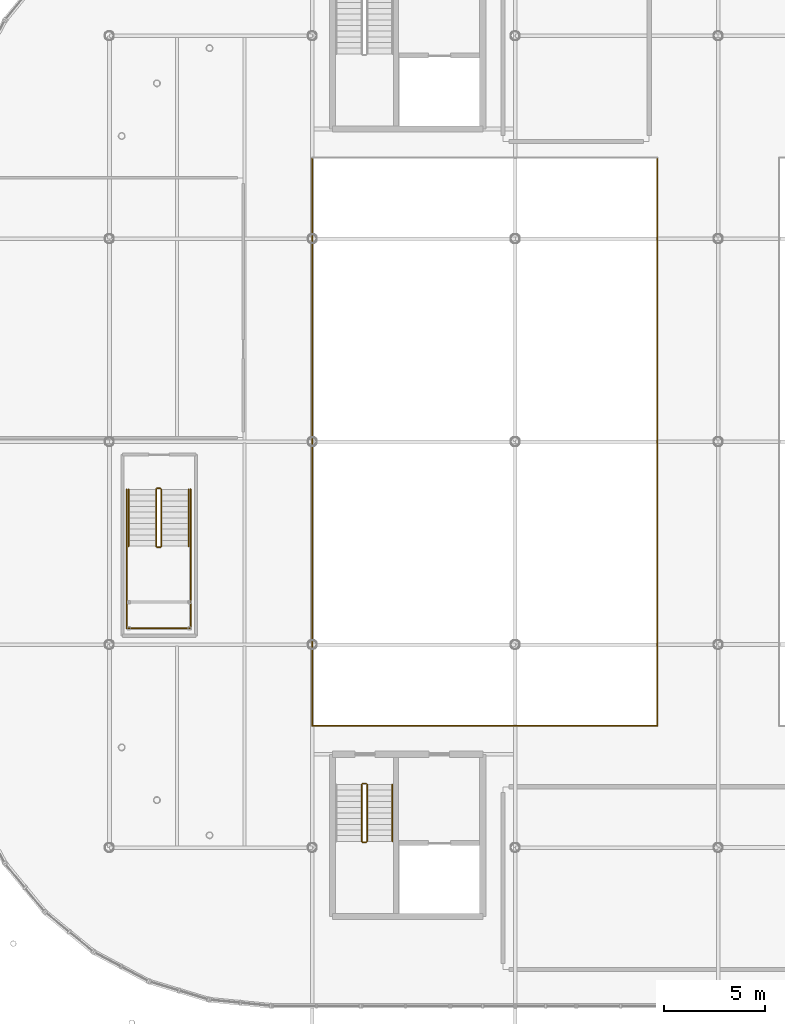
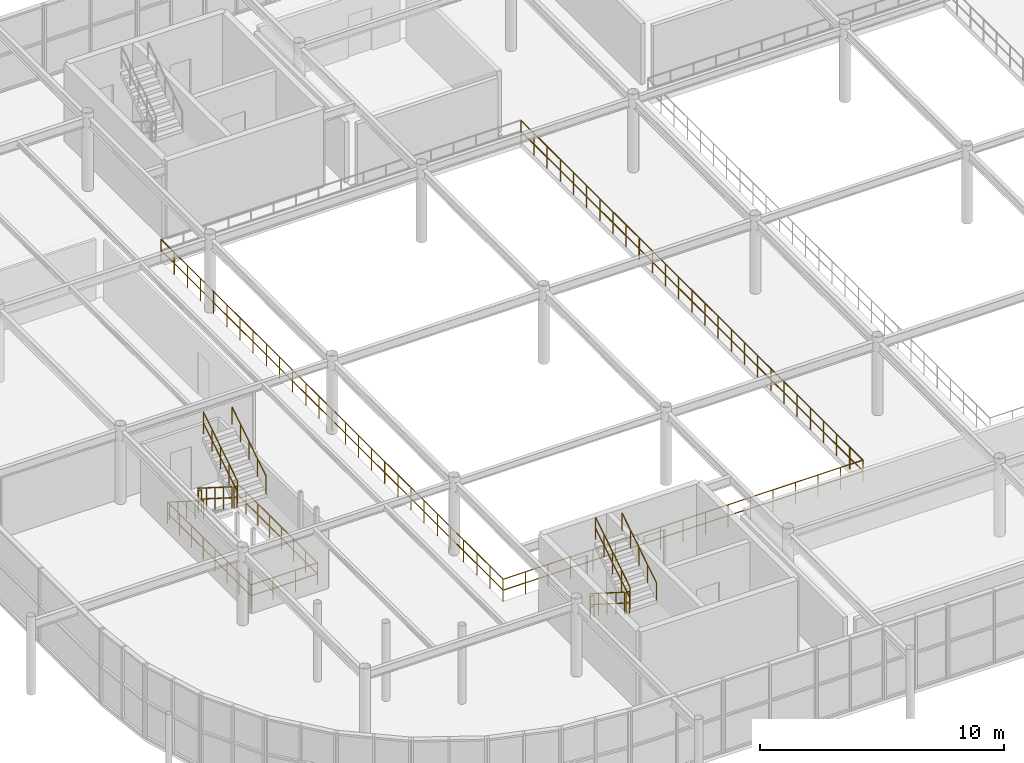
# One storey, part 89 of 98: 17 railings.
"""IFC4 building model written with IfcOpenShell, lengths in metres."""

from ifc_helpers import new_model, si_unit, derived_unit, direction, frame, origin, origin_2d_with_axis, place, context, subcontext, project, spatial, circle, extrude, material, layer, layer_set, type_object, element, save


model = new_model("IFC4")

# Units and contexts
model_context = context("Model", 3, precision=1e-05, world=origin(), true_north=direction((0.0, 1.0)))
body_context = subcontext(model_context, "Body", "Model", "MODEL_VIEW")
ifc_project = project(units=[si_unit("LENGTHUNIT", "METRE"), si_unit("AREAUNIT", "SQUARE_METRE"), si_unit("VOLUMEUNIT", "CUBIC_METRE"), si_unit("PLANEANGLEUNIT", "RADIAN"), si_unit("MASSUNIT", "GRAM", prefix="KILO"), derived_unit("THERMALTRANSMITTANCEUNIT", [(si_unit("POWERUNIT", "WATT"), 1), (si_unit("LENGTHUNIT", "METRE"), -2), (si_unit("THERMODYNAMICTEMPERATUREUNIT", "KELVIN"), -1)])], contexts=[model_context])

# Site, building, storey
site_placement = place(None, origin())
site = spatial("IfcSite", under=ifc_project, at=site_placement, CompositionType="ELEMENT")
building_placement = place(site_placement, origin())
building = spatial("IfcBuilding", under=site, at=building_placement, Name="Cinnabar Yard Market Hall", CompositionType="ELEMENT")
storey_placement = place(building_placement, frame((0.0, 0.0, 4.5)))
storey = spatial("IfcBuildingStorey", under=building, at=storey_placement, Name="L01", CompositionType="ELEMENT", Elevation=4.5)

# Railings
ifc_material_1 = material(Name="Laminated glass and bronze handrail", Category="glass")
ifc_layer_1 = layer(ifc_material_1, 0.070068359375)
ifc_layer_set_1 = layer_set([ifc_layer_1], Name="Laminated glass and bronze handrail")
railing_type_1 = type_object("IfcRailingType", Name="RL-G01", PredefinedType="BALUSTRADE", material=ifc_layer_set_1)
railing_1_placement = place(storey_placement, frame((78.300048828125, 41.64990234375, 0.17724609375)))
element("IfcRailing", 1, at=railing_1_placement, inside=storey, type_object=railing_type_1, Name="L01 ST-F1 stair guard 1", PredefinedType="BALUSTRADE", context=body_context, shape_type="SweptSolid", body=[
    extrude(circle(Radius=0.02392578125, at=origin_2d_with_axis()), frame((0.0, 0.0, 1.09619140625), z_axis=(0.0, -0.844887892834, 0.53494340686), x_axis=(1.0, 0.0, 0.0)), (0.0, 0.0, 1.0), 3.313720703125),
    extrude(circle(Radius=0.02392578125, at=origin_2d_with_axis()), frame((0.0, 0.0, 0.550048828125), z_axis=(0.0, -0.844887892834, 0.53494340686), x_axis=(1.0, 0.0, 0.0)), (0.0, 0.0, 1.0), 3.313720703125),
    extrude(circle(Radius=0.02099609375, at=origin_2d_with_axis()), origin(), (0.0, 0.0, 1.0), 1.072021484375),
    extrude(circle(Radius=0.02099609375, at=origin_2d_with_axis()), frame((0.0, -0.699951171875, 0.443115234375)), (0.0, 0.0, 1.0), 1.072021484375),
    extrude(circle(Radius=0.02099609375, at=origin_2d_with_axis()), frame((0.0, -1.39990234375, 0.88623046875)), (0.0, 0.0, 1.0), 1.072021484375),
    extrude(circle(Radius=0.02099609375, at=origin_2d_with_axis()), frame((0.0, -2.099853515625, 1.32958984375)), (0.0, 0.0, 1.0), 1.072021484375),
    extrude(circle(Radius=0.02099609375, at=origin_2d_with_axis()), frame((0.0, -2.7998046875, 1.772705078125)), (0.0, 0.0, 1.0), 1.072021484375),
])
railing_2_placement = place(storey_placement, frame((78.35009765625, 38.800048828125, 1.949951171875)))
element("IfcRailing", 2, at=railing_2_placement, inside=storey, type_object=railing_type_1, Name="L01 ST-F1 stair guard 2", PredefinedType="BALUSTRADE", context=body_context, shape_type="SweptSolid", body=[
    extrude(circle(Radius=0.02392578125, at=origin_2d_with_axis()), frame((0.0, 0.0, 1.09619140625), z_axis=(1.0, 0.0, 0.0), x_axis=(0.0, 1.0, 0.0)), (0.0, 0.0, 1.0), 0.159912109375),
    extrude(circle(Radius=0.02392578125, at=origin_2d_with_axis()), frame((0.0, 0.0, 0.550048828125), z_axis=(1.0, 0.0, 0.0), x_axis=(0.0, 1.0, 0.0)), (0.0, 0.0, 1.0), 0.159912109375),
    extrude(circle(Radius=0.02099609375, at=origin_2d_with_axis()), origin(), (0.0, 0.0, 1.0), 1.072021484375),
    extrude(circle(Radius=0.02099609375, at=origin_2d_with_axis()), frame((0.159912109375, 0.0, 0.0)), (0.0, 0.0, 1.0), 1.072021484375),
])
railing_3_placement = place(storey_placement, frame((78.56005859375, 38.85009765625, 2.127197265625)))
element("IfcRailing", 3, at=railing_3_placement, inside=storey, type_object=railing_type_1, Name="L01 ST-F1 stair guard 3", PredefinedType="BALUSTRADE", context=body_context, shape_type="SweptSolid", body=[
    extrude(circle(Radius=0.02392578125, at=origin_2d_with_axis()), frame((0.0, 0.0, 1.09619140625), z_axis=(0.0, 0.844887892834, 0.53494340686), x_axis=(-1.0, 0.0, 0.0)), (0.0, 0.0, 1.0), 3.313720703125),
    extrude(circle(Radius=0.02392578125, at=origin_2d_with_axis()), frame((0.0, 0.0, 0.550048828125), z_axis=(0.0, 0.844887892834, 0.53494340686), x_axis=(-1.0, 0.0, 0.0)), (0.0, 0.0, 1.0), 3.313720703125),
    extrude(circle(Radius=0.02099609375, at=origin_2d_with_axis()), origin(), (0.0, 0.0, 1.0), 1.072021484375),
    extrude(circle(Radius=0.02099609375, at=origin_2d_with_axis()), frame((0.0, 0.699951171875, 0.443115234375)), (0.0, 0.0, 1.0), 1.072021484375),
    extrude(circle(Radius=0.02099609375, at=origin_2d_with_axis()), frame((0.0, 1.39990234375, 0.88623046875)), (0.0, 0.0, 1.0), 1.072021484375),
    extrude(circle(Radius=0.02099609375, at=origin_2d_with_axis()), frame((0.0, 2.099853515625, 1.32958984375)), (0.0, 0.0, 1.0), 1.072021484375),
    extrude(circle(Radius=0.02099609375, at=origin_2d_with_axis()), frame((0.0, 2.7998046875, 1.772705078125)), (0.0, 0.0, 1.0), 1.072021484375),
])
railing_4_placement = place(storey_placement, frame((78.35009765625, 41.699951171875, 0.0)))
element("IfcRailing", 4, at=railing_4_placement, inside=storey, type_object=railing_type_1, Name="L01 ST-F1 stair guard 4", PredefinedType="BALUSTRADE", context=body_context, shape_type="SweptSolid", body=[
    extrude(circle(Radius=0.02392578125, at=origin_2d_with_axis()), frame((0.0, 0.0, 1.09619140625), z_axis=(1.0, 0.0, 0.0), x_axis=(0.0, 1.0, 0.0)), (0.0, 0.0, 1.0), 0.159912109375),
    extrude(circle(Radius=0.02392578125, at=origin_2d_with_axis()), frame((0.0, 0.0, 0.550048828125), z_axis=(1.0, 0.0, 0.0), x_axis=(0.0, 1.0, 0.0)), (0.0, 0.0, 1.0), 0.159912109375),
    extrude(circle(Radius=0.02099609375, at=origin_2d_with_axis()), origin(), (0.0, 0.0, 1.0), 1.072021484375),
    extrude(circle(Radius=0.02099609375, at=origin_2d_with_axis()), frame((0.159912109375, 0.0, 0.0)), (0.0, 0.0, 1.0), 1.072021484375),
])
railing_5_placement = place(storey_placement, frame((76.860107421875, 41.64990234375, 0.0)))
element("IfcRailing", 5, at=railing_5_placement, inside=storey, type_object=railing_type_1, Name="Feature Stair ST-F1 L01 Well Guard 1", PredefinedType="BALUSTRADE", context=body_context, shape_type="SweptSolid", body=[
    extrude(circle(Radius=0.02392578125, at=origin_2d_with_axis()), frame((0.0, 0.0, 1.09619140625), z_axis=(0.0, -1.0, 0.0), x_axis=(1.0, 0.0, 0.0)), (0.0, 0.0, 1.0), 6.83984375),
    extrude(circle(Radius=0.02392578125, at=origin_2d_with_axis()), frame((0.0, 0.0, 0.550048828125), z_axis=(0.0, -1.0, 0.0), x_axis=(1.0, 0.0, 0.0)), (0.0, 0.0, 1.0), 6.83984375),
    extrude(circle(Radius=0.02099609375, at=origin_2d_with_axis()), origin(), (0.0, 0.0, 1.0), 1.072021484375),
    extrude(circle(Radius=0.02099609375, at=origin_2d_with_axis()), frame((0.0, -0.97705078125, 0.0)), (0.0, 0.0, 1.0), 1.072021484375),
    extrude(circle(Radius=0.02099609375, at=origin_2d_with_axis()), frame((0.0, -1.954345703125, 0.0)), (0.0, 0.0, 1.0), 1.072021484375),
    extrude(circle(Radius=0.02099609375, at=origin_2d_with_axis()), frame((0.0, -2.931396484375, 0.0)), (0.0, 0.0, 1.0), 1.072021484375),
    extrude(circle(Radius=0.02099609375, at=origin_2d_with_axis()), frame((0.0, -3.908447265625, 0.0)), (0.0, 0.0, 1.0), 1.072021484375),
    extrude(circle(Radius=0.02099609375, at=origin_2d_with_axis()), frame((0.0, -4.885498046875, 0.0)), (0.0, 0.0, 1.0), 1.072021484375),
    extrude(circle(Radius=0.02099609375, at=origin_2d_with_axis()), frame((0.0, -5.86279296875, 0.0)), (0.0, 0.0, 1.0), 1.072021484375),
    extrude(circle(Radius=0.02099609375, at=origin_2d_with_axis()), frame((0.0, -6.83984375, 0.0)), (0.0, 0.0, 1.0), 1.072021484375),
])
railing_6_placement = place(storey_placement, frame((76.860107421875, 34.81005859375, 0.0)))
element("IfcRailing", 6, at=railing_6_placement, inside=storey, type_object=railing_type_1, Name="Feature Stair ST-F1 L01 Well Guard 2", PredefinedType="BALUSTRADE", context=body_context, shape_type="SweptSolid", body=[
    extrude(circle(Radius=0.02392578125, at=origin_2d_with_axis()), frame((0.0, 0.0, 1.09619140625), z_axis=(1.0, 0.0, 0.0), x_axis=(0.0, 1.0, 0.0)), (0.0, 0.0, 1.0), 3.139892578125),
    extrude(circle(Radius=0.02392578125, at=origin_2d_with_axis()), frame((0.0, 0.0, 0.550048828125), z_axis=(1.0, 0.0, 0.0), x_axis=(0.0, 1.0, 0.0)), (0.0, 0.0, 1.0), 3.139892578125),
    extrude(circle(Radius=0.02099609375, at=origin_2d_with_axis()), origin(), (0.0, 0.0, 1.0), 1.072021484375),
    extrude(circle(Radius=0.02099609375, at=origin_2d_with_axis()), frame((1.046630859375, 0.0, 0.0)), (0.0, 0.0, 1.0), 1.072021484375),
    extrude(circle(Radius=0.02099609375, at=origin_2d_with_axis()), frame((2.09326171875, 0.0, 0.0)), (0.0, 0.0, 1.0), 1.072021484375),
    extrude(circle(Radius=0.02099609375, at=origin_2d_with_axis()), frame((3.139892578125, 0.0, 0.0)), (0.0, 0.0, 1.0), 1.072021484375),
])
railing_7_placement = place(storey_placement, frame((80.0, 34.81005859375, 0.0)))
element("IfcRailing", 7, at=railing_7_placement, inside=storey, type_object=railing_type_1, Name="Feature Stair ST-F1 L01 Well Guard 3", PredefinedType="BALUSTRADE", context=body_context, shape_type="SweptSolid", body=[
    extrude(circle(Radius=0.02392578125, at=origin_2d_with_axis()), frame((0.0, 0.0, 1.09619140625), z_axis=(0.0, 1.0, 0.0), x_axis=(-1.0, 0.0, 0.0)), (0.0, 0.0, 1.0), 6.83984375),
    extrude(circle(Radius=0.02392578125, at=origin_2d_with_axis()), frame((0.0, 0.0, 0.550048828125), z_axis=(0.0, 1.0, 0.0), x_axis=(-1.0, 0.0, 0.0)), (0.0, 0.0, 1.0), 6.83984375),
    extrude(circle(Radius=0.02099609375, at=origin_2d_with_axis()), origin(), (0.0, 0.0, 1.0), 1.072021484375),
    extrude(circle(Radius=0.02099609375, at=origin_2d_with_axis()), frame((0.0, 0.97705078125, 0.0)), (0.0, 0.0, 1.0), 1.072021484375),
    extrude(circle(Radius=0.02099609375, at=origin_2d_with_axis()), frame((0.0, 1.954345703125, 0.0)), (0.0, 0.0, 1.0), 1.072021484375),
    extrude(circle(Radius=0.02099609375, at=origin_2d_with_axis()), frame((0.0, 2.931396484375, 0.0)), (0.0, 0.0, 1.0), 1.072021484375),
    extrude(circle(Radius=0.02099609375, at=origin_2d_with_axis()), frame((0.0, 3.908447265625, 0.0)), (0.0, 0.0, 1.0), 1.072021484375),
    extrude(circle(Radius=0.02099609375, at=origin_2d_with_axis()), frame((0.0, 4.885498046875, 0.0)), (0.0, 0.0, 1.0), 1.072021484375),
    extrude(circle(Radius=0.02099609375, at=origin_2d_with_axis()), frame((0.0, 5.86279296875, 0.0)), (0.0, 0.0, 1.0), 1.072021484375),
    extrude(circle(Radius=0.02099609375, at=origin_2d_with_axis()), frame((0.0, 6.83984375, 0.0)), (0.0, 0.0, 1.0), 1.072021484375),
])
railing_8_placement = place(storey_placement, frame((86.0, 30.0, 0.0)))
element("IfcRailing", 8, at=railing_8_placement, inside=storey, type_object=railing_type_1, Name="L01 Mezzanine Void 1 Balustrade 1", PredefinedType="BALUSTRADE", context=body_context, shape_type="SweptSolid", body=[
    extrude(circle(Radius=0.02392578125, at=origin_2d_with_axis()), frame((0.0, 0.0, 1.09619140625), z_axis=(1.0, 0.0, 0.0), x_axis=(0.0, 1.0, 0.0)), (0.0, 0.0, 1.0), 17.0),
    extrude(circle(Radius=0.02392578125, at=origin_2d_with_axis()), frame((0.0, 0.0, 0.550048828125), z_axis=(1.0, 0.0, 0.0), x_axis=(0.0, 1.0, 0.0)), (0.0, 0.0, 1.0), 17.0),
    extrude(circle(Radius=0.02099609375, at=origin_2d_with_axis()), origin(), (0.0, 0.0, 1.0), 1.072021484375),
    extrude(circle(Radius=0.02099609375, at=origin_2d_with_axis()), frame((1.0625, 0.0, 0.0)), (0.0, 0.0, 1.0), 1.072021484375),
    extrude(circle(Radius=0.02099609375, at=origin_2d_with_axis()), frame((2.125, 0.0, 0.0)), (0.0, 0.0, 1.0), 1.072021484375),
    extrude(circle(Radius=0.02099609375, at=origin_2d_with_axis()), frame((3.1875, 0.0, 0.0)), (0.0, 0.0, 1.0), 1.072021484375),
    extrude(circle(Radius=0.02099609375, at=origin_2d_with_axis()), frame((4.25, 0.0, 0.0)), (0.0, 0.0, 1.0), 1.072021484375),
    extrude(circle(Radius=0.02099609375, at=origin_2d_with_axis()), frame((5.3125, 0.0, 0.0)), (0.0, 0.0, 1.0), 1.072021484375),
    extrude(circle(Radius=0.02099609375, at=origin_2d_with_axis()), frame((6.375, 0.0, 0.0)), (0.0, 0.0, 1.0), 1.072021484375),
    extrude(circle(Radius=0.02099609375, at=origin_2d_with_axis()), frame((7.4375, 0.0, 0.0)), (0.0, 0.0, 1.0), 1.072021484375),
    extrude(circle(Radius=0.02099609375, at=origin_2d_with_axis()), frame((8.5, 0.0, 0.0)), (0.0, 0.0, 1.0), 1.072021484375),
    extrude(circle(Radius=0.02099609375, at=origin_2d_with_axis()), frame((9.5625, 0.0, 0.0)), (0.0, 0.0, 1.0), 1.072021484375),
    extrude(circle(Radius=0.02099609375, at=origin_2d_with_axis()), frame((10.625, 0.0, 0.0)), (0.0, 0.0, 1.0), 1.072021484375),
    extrude(circle(Radius=0.02099609375, at=origin_2d_with_axis()), frame((11.6875, 0.0, 0.0)), (0.0, 0.0, 1.0), 1.072021484375),
    extrude(circle(Radius=0.02099609375, at=origin_2d_with_axis()), frame((12.75, 0.0, 0.0)), (0.0, 0.0, 1.0), 1.072021484375),
    extrude(circle(Radius=0.02099609375, at=origin_2d_with_axis()), frame((13.8125, 0.0, 0.0)), (0.0, 0.0, 1.0), 1.072021484375),
    extrude(circle(Radius=0.02099609375, at=origin_2d_with_axis()), frame((14.875, 0.0, 0.0)), (0.0, 0.0, 1.0), 1.072021484375),
    extrude(circle(Radius=0.02099609375, at=origin_2d_with_axis()), frame((15.9375, 0.0, 0.0)), (0.0, 0.0, 1.0), 1.072021484375),
    extrude(circle(Radius=0.02099609375, at=origin_2d_with_axis()), frame((17.0, 0.0, 0.0)), (0.0, 0.0, 1.0), 1.072021484375),
])
railing_9_placement = place(storey_placement, frame((103.0, 30.0, 0.0)))
element("IfcRailing", 9, at=railing_9_placement, inside=storey, type_object=railing_type_1, Name="L01 Mezzanine Void 1 Balustrade 2", PredefinedType="BALUSTRADE", context=body_context, shape_type="SweptSolid", body=[
    extrude(circle(Radius=0.02392578125, at=origin_2d_with_axis()), frame((0.0, 0.0, 1.09619140625), z_axis=(0.0, 1.0, 0.0), x_axis=(-1.0, 0.0, 0.0)), (0.0, 0.0, 1.0), 28.0),
    extrude(circle(Radius=0.02392578125, at=origin_2d_with_axis()), frame((0.0, 0.0, 0.550048828125), z_axis=(0.0, 1.0, 0.0), x_axis=(-1.0, 0.0, 0.0)), (0.0, 0.0, 1.0), 28.0),
    extrude(circle(Radius=0.02099609375, at=origin_2d_with_axis()), origin(), (0.0, 0.0, 1.0), 1.072021484375),
    extrude(circle(Radius=0.02099609375, at=origin_2d_with_axis()), frame((0.0, 1.076904296875, 0.0)), (0.0, 0.0, 1.0), 1.072021484375),
    extrude(circle(Radius=0.02099609375, at=origin_2d_with_axis()), frame((0.0, 2.15380859375, 0.0)), (0.0, 0.0, 1.0), 1.072021484375),
    extrude(circle(Radius=0.02099609375, at=origin_2d_with_axis()), frame((0.0, 3.230712890625, 0.0)), (0.0, 0.0, 1.0), 1.072021484375),
    extrude(circle(Radius=0.02099609375, at=origin_2d_with_axis()), frame((0.0, 4.3076171875, 0.0)), (0.0, 0.0, 1.0), 1.072021484375),
    extrude(circle(Radius=0.02099609375, at=origin_2d_with_axis()), frame((0.0, 5.384521484375, 0.0)), (0.0, 0.0, 1.0), 1.072021484375),
    extrude(circle(Radius=0.02099609375, at=origin_2d_with_axis()), frame((0.0, 6.46142578125, 0.0)), (0.0, 0.0, 1.0), 1.072021484375),
    extrude(circle(Radius=0.02099609375, at=origin_2d_with_axis()), frame((0.0, 7.53857421875, 0.0)), (0.0, 0.0, 1.0), 1.072021484375),
    extrude(circle(Radius=0.02099609375, at=origin_2d_with_axis()), frame((0.0, 8.615478515625, 0.0)), (0.0, 0.0, 1.0), 1.072021484375),
    extrude(circle(Radius=0.02099609375, at=origin_2d_with_axis()), frame((0.0, 9.6923828125, 0.0)), (0.0, 0.0, 1.0), 1.072021484375),
    extrude(circle(Radius=0.02099609375, at=origin_2d_with_axis()), frame((0.0, 10.769287109375, 0.0)), (0.0, 0.0, 1.0), 1.072021484375),
    extrude(circle(Radius=0.02099609375, at=origin_2d_with_axis()), frame((0.0, 11.84619140625, 0.0)), (0.0, 0.0, 1.0), 1.072021484375),
    extrude(circle(Radius=0.02099609375, at=origin_2d_with_axis()), frame((0.0, 12.923095703125, 0.0)), (0.0, 0.0, 1.0), 1.072021484375),
    extrude(circle(Radius=0.02099609375, at=origin_2d_with_axis()), frame((0.0, 14.0, 0.0)), (0.0, 0.0, 1.0), 1.072021484375),
    extrude(circle(Radius=0.02099609375, at=origin_2d_with_axis()), frame((0.0, 15.076904296875, 0.0)), (0.0, 0.0, 1.0), 1.072021484375),
    extrude(circle(Radius=0.02099609375, at=origin_2d_with_axis()), frame((0.0, 16.15380859375, 0.0)), (0.0, 0.0, 1.0), 1.072021484375),
    extrude(circle(Radius=0.02099609375, at=origin_2d_with_axis()), frame((0.0, 17.230712890625, 0.0)), (0.0, 0.0, 1.0), 1.072021484375),
    extrude(circle(Radius=0.02099609375, at=origin_2d_with_axis()), frame((0.0, 18.3076171875, 0.0)), (0.0, 0.0, 1.0), 1.072021484375),
    extrude(circle(Radius=0.02099609375, at=origin_2d_with_axis()), frame((0.0, 19.384521484375, 0.0)), (0.0, 0.0, 1.0), 1.072021484375),
    extrude(circle(Radius=0.02099609375, at=origin_2d_with_axis()), frame((0.0, 20.46142578125, 0.0)), (0.0, 0.0, 1.0), 1.072021484375),
    extrude(circle(Radius=0.02099609375, at=origin_2d_with_axis()), frame((0.0, 21.53857421875, 0.0)), (0.0, 0.0, 1.0), 1.072021484375),
    extrude(circle(Radius=0.02099609375, at=origin_2d_with_axis()), frame((0.0, 22.615478515625, 0.0)), (0.0, 0.0, 1.0), 1.072021484375),
    extrude(circle(Radius=0.02099609375, at=origin_2d_with_axis()), frame((0.0, 23.6923828125, 0.0)), (0.0, 0.0, 1.0), 1.072021484375),
    extrude(circle(Radius=0.02099609375, at=origin_2d_with_axis()), frame((0.0, 24.769287109375, 0.0)), (0.0, 0.0, 1.0), 1.072021484375),
    extrude(circle(Radius=0.02099609375, at=origin_2d_with_axis()), frame((0.0, 25.84619140625, 0.0)), (0.0, 0.0, 1.0), 1.072021484375),
    extrude(circle(Radius=0.02099609375, at=origin_2d_with_axis()), frame((0.0, 26.923095703125, 0.0)), (0.0, 0.0, 1.0), 1.072021484375),
    extrude(circle(Radius=0.02099609375, at=origin_2d_with_axis()), frame((0.0, 28.0, 0.0)), (0.0, 0.0, 1.0), 1.072021484375),
])
railing_10_placement = place(storey_placement, frame((86.0, 58.0, 0.0)))
element("IfcRailing", 10, at=railing_10_placement, inside=storey, type_object=railing_type_1, Name="L01 Mezzanine Void 1 Balustrade 4", PredefinedType="BALUSTRADE", context=body_context, shape_type="SweptSolid", body=[
    extrude(circle(Radius=0.02392578125, at=origin_2d_with_axis()), frame((0.0, 0.0, 1.09619140625), z_axis=(0.0, -1.0, 0.0), x_axis=(1.0, 0.0, 0.0)), (0.0, 0.0, 1.0), 28.0),
    extrude(circle(Radius=0.02392578125, at=origin_2d_with_axis()), frame((0.0, 0.0, 0.550048828125), z_axis=(0.0, -1.0, 0.0), x_axis=(1.0, 0.0, 0.0)), (0.0, 0.0, 1.0), 28.0),
    extrude(circle(Radius=0.02099609375, at=origin_2d_with_axis()), origin(), (0.0, 0.0, 1.0), 1.072021484375),
    extrude(circle(Radius=0.02099609375, at=origin_2d_with_axis()), frame((0.0, -1.076904296875, 0.0)), (0.0, 0.0, 1.0), 1.072021484375),
    extrude(circle(Radius=0.02099609375, at=origin_2d_with_axis()), frame((0.0, -2.15380859375, 0.0)), (0.0, 0.0, 1.0), 1.072021484375),
    extrude(circle(Radius=0.02099609375, at=origin_2d_with_axis()), frame((0.0, -3.230712890625, 0.0)), (0.0, 0.0, 1.0), 1.072021484375),
    extrude(circle(Radius=0.02099609375, at=origin_2d_with_axis()), frame((0.0, -4.3076171875, 0.0)), (0.0, 0.0, 1.0), 1.072021484375),
    extrude(circle(Radius=0.02099609375, at=origin_2d_with_axis()), frame((0.0, -5.384521484375, 0.0)), (0.0, 0.0, 1.0), 1.072021484375),
    extrude(circle(Radius=0.02099609375, at=origin_2d_with_axis()), frame((0.0, -6.46142578125, 0.0)), (0.0, 0.0, 1.0), 1.072021484375),
    extrude(circle(Radius=0.02099609375, at=origin_2d_with_axis()), frame((0.0, -7.53857421875, 0.0)), (0.0, 0.0, 1.0), 1.072021484375),
    extrude(circle(Radius=0.02099609375, at=origin_2d_with_axis()), frame((0.0, -8.615478515625, 0.0)), (0.0, 0.0, 1.0), 1.072021484375),
    extrude(circle(Radius=0.02099609375, at=origin_2d_with_axis()), frame((0.0, -9.6923828125, 0.0)), (0.0, 0.0, 1.0), 1.072021484375),
    extrude(circle(Radius=0.02099609375, at=origin_2d_with_axis()), frame((0.0, -10.769287109375, 0.0)), (0.0, 0.0, 1.0), 1.072021484375),
    extrude(circle(Radius=0.02099609375, at=origin_2d_with_axis()), frame((0.0, -11.84619140625, 0.0)), (0.0, 0.0, 1.0), 1.072021484375),
    extrude(circle(Radius=0.02099609375, at=origin_2d_with_axis()), frame((0.0, -12.923095703125, 0.0)), (0.0, 0.0, 1.0), 1.072021484375),
    extrude(circle(Radius=0.02099609375, at=origin_2d_with_axis()), frame((0.0, -14.0, 0.0)), (0.0, 0.0, 1.0), 1.072021484375),
    extrude(circle(Radius=0.02099609375, at=origin_2d_with_axis()), frame((0.0, -15.076904296875, 0.0)), (0.0, 0.0, 1.0), 1.072021484375),
    extrude(circle(Radius=0.02099609375, at=origin_2d_with_axis()), frame((0.0, -16.15380859375, 0.0)), (0.0, 0.0, 1.0), 1.072021484375),
    extrude(circle(Radius=0.02099609375, at=origin_2d_with_axis()), frame((0.0, -17.230712890625, 0.0)), (0.0, 0.0, 1.0), 1.072021484375),
    extrude(circle(Radius=0.02099609375, at=origin_2d_with_axis()), frame((0.0, -18.3076171875, 0.0)), (0.0, 0.0, 1.0), 1.072021484375),
    extrude(circle(Radius=0.02099609375, at=origin_2d_with_axis()), frame((0.0, -19.384521484375, 0.0)), (0.0, 0.0, 1.0), 1.072021484375),
    extrude(circle(Radius=0.02099609375, at=origin_2d_with_axis()), frame((0.0, -20.46142578125, 0.0)), (0.0, 0.0, 1.0), 1.072021484375),
    extrude(circle(Radius=0.02099609375, at=origin_2d_with_axis()), frame((0.0, -21.53857421875, 0.0)), (0.0, 0.0, 1.0), 1.072021484375),
    extrude(circle(Radius=0.02099609375, at=origin_2d_with_axis()), frame((0.0, -22.615478515625, 0.0)), (0.0, 0.0, 1.0), 1.072021484375),
    extrude(circle(Radius=0.02099609375, at=origin_2d_with_axis()), frame((0.0, -23.6923828125, 0.0)), (0.0, 0.0, 1.0), 1.072021484375),
    extrude(circle(Radius=0.02099609375, at=origin_2d_with_axis()), frame((0.0, -24.769287109375, 0.0)), (0.0, 0.0, 1.0), 1.072021484375),
    extrude(circle(Radius=0.02099609375, at=origin_2d_with_axis()), frame((0.0, -25.84619140625, 0.0)), (0.0, 0.0, 1.0), 1.072021484375),
    extrude(circle(Radius=0.02099609375, at=origin_2d_with_axis()), frame((0.0, -26.923095703125, 0.0)), (0.0, 0.0, 1.0), 1.072021484375),
    extrude(circle(Radius=0.02099609375, at=origin_2d_with_axis()), frame((0.0, -28.0, 0.0)), (0.0, 0.0, 1.0), 1.072021484375),
])
ifc_material_2 = material(Name="Galvanised steel Grade 300 (300 MPa) guardrail", Category="steel")
ifc_layer_2 = layer(ifc_material_2, 0.06005859375)
ifc_layer_set_2 = layer_set([ifc_layer_2], Name="Galvanised steel Grade 300 (300 MPa) guardrail")
railing_type_2 = type_object("IfcRailingType", Name="RL-G03", PredefinedType="GUARDRAIL", material=ifc_layer_set_2)
railing_11_placement = place(storey_placement, frame((88.43994140625, 27.110107421875, 0.17724609375)))
element("IfcRailing", 11, at=railing_11_placement, inside=storey, type_object=railing_type_2, Name="L01 ST-C1 stair guard 1", PredefinedType="GUARDRAIL", context=body_context, shape_type="SweptSolid", body=[
    extrude(circle(Radius=0.02392578125, at=origin_2d_with_axis()), frame((0.0, 0.0, 1.09619140625), z_axis=(0.0, -0.844908973607, 0.534910110503), x_axis=(1.0, 0.0, 0.0)), (0.0, 0.0, 1.0), 3.31396484375),
    extrude(circle(Radius=0.02392578125, at=origin_2d_with_axis()), frame((0.0, 0.0, 0.550048828125), z_axis=(0.0, -0.844908973607, 0.534910110503), x_axis=(1.0, 0.0, 0.0)), (0.0, 0.0, 1.0), 3.31396484375),
    extrude(circle(Radius=0.02099609375, at=origin_2d_with_axis()), origin(), (0.0, 0.0, 1.0), 1.072021484375),
    extrude(circle(Radius=0.02099609375, at=origin_2d_with_axis()), frame((0.0, -0.699951171875, 0.443115234375)), (0.0, 0.0, 1.0), 1.072021484375),
    extrude(circle(Radius=0.02099609375, at=origin_2d_with_axis()), frame((0.0, -1.39990234375, 0.88623046875)), (0.0, 0.0, 1.0), 1.072021484375),
    extrude(circle(Radius=0.02099609375, at=origin_2d_with_axis()), frame((0.0, -2.10009765625, 1.32958984375)), (0.0, 0.0, 1.0), 1.072021484375),
    extrude(circle(Radius=0.02099609375, at=origin_2d_with_axis()), frame((0.0, -2.800048828125, 1.772705078125)), (0.0, 0.0, 1.0), 1.072021484375),
])
railing_12_placement = place(storey_placement, frame((88.489990234375, 24.260009765625, 1.949951171875)))
element("IfcRailing", 12, at=railing_12_placement, inside=storey, type_object=railing_type_2, Name="L01 ST-C1 stair guard 2", PredefinedType="GUARDRAIL", context=body_context, shape_type="SweptSolid", body=[
    extrude(circle(Radius=0.02392578125, at=origin_2d_with_axis()), frame((0.0, 0.0, 1.09619140625), z_axis=(1.0, 0.0, 0.0), x_axis=(0.0, 1.0, 0.0)), (0.0, 0.0, 1.0), 0.159912109375),
    extrude(circle(Radius=0.02392578125, at=origin_2d_with_axis()), frame((0.0, 0.0, 0.550048828125), z_axis=(1.0, 0.0, 0.0), x_axis=(0.0, 1.0, 0.0)), (0.0, 0.0, 1.0), 0.159912109375),
    extrude(circle(Radius=0.02099609375, at=origin_2d_with_axis()), origin(), (0.0, 0.0, 1.0), 1.072021484375),
    extrude(circle(Radius=0.02099609375, at=origin_2d_with_axis()), frame((0.159912109375, 0.0, 0.0)), (0.0, 0.0, 1.0), 1.072021484375),
])
railing_13_placement = place(storey_placement, frame((88.699951171875, 24.31005859375, 2.127197265625)))
element("IfcRailing", 13, at=railing_13_placement, inside=storey, type_object=railing_type_2, Name="L01 ST-C1 stair guard 3", PredefinedType="GUARDRAIL", context=body_context, shape_type="SweptSolid", body=[
    extrude(circle(Radius=0.02392578125, at=origin_2d_with_axis()), frame((0.0, 0.0, 1.09619140625), z_axis=(0.0, 0.844908973607, 0.534910110503), x_axis=(-1.0, 0.0, 0.0)), (0.0, 0.0, 1.0), 3.31396484375),
    extrude(circle(Radius=0.02392578125, at=origin_2d_with_axis()), frame((0.0, 0.0, 0.550048828125), z_axis=(0.0, 0.844908973607, 0.534910110503), x_axis=(-1.0, 0.0, 0.0)), (0.0, 0.0, 1.0), 3.31396484375),
    extrude(circle(Radius=0.02099609375, at=origin_2d_with_axis()), origin(), (0.0, 0.0, 1.0), 1.072021484375),
    extrude(circle(Radius=0.02099609375, at=origin_2d_with_axis()), frame((0.0, 0.699951171875, 0.443115234375)), (0.0, 0.0, 1.0), 1.072021484375),
    extrude(circle(Radius=0.02099609375, at=origin_2d_with_axis()), frame((0.0, 1.39990234375, 0.88623046875)), (0.0, 0.0, 1.0), 1.072021484375),
    extrude(circle(Radius=0.02099609375, at=origin_2d_with_axis()), frame((0.0, 2.10009765625, 1.32958984375)), (0.0, 0.0, 1.0), 1.072021484375),
    extrude(circle(Radius=0.02099609375, at=origin_2d_with_axis()), frame((0.0, 2.800048828125, 1.772705078125)), (0.0, 0.0, 1.0), 1.072021484375),
])
railing_14_placement = place(storey_placement, frame((88.489990234375, 27.159912109375, 0.0)))
element("IfcRailing", 14, at=railing_14_placement, inside=storey, type_object=railing_type_2, Name="L01 ST-C1 stair guard 4", PredefinedType="GUARDRAIL", context=body_context, shape_type="SweptSolid", body=[
    extrude(circle(Radius=0.02392578125, at=origin_2d_with_axis()), frame((0.0, 0.0, 1.09619140625), z_axis=(1.0, 0.0, 0.0), x_axis=(0.0, 1.0, 0.0)), (0.0, 0.0, 1.0), 0.159912109375),
    extrude(circle(Radius=0.02392578125, at=origin_2d_with_axis()), frame((0.0, 0.0, 0.550048828125), z_axis=(1.0, 0.0, 0.0), x_axis=(0.0, 1.0, 0.0)), (0.0, 0.0, 1.0), 0.159912109375),
    extrude(circle(Radius=0.02099609375, at=origin_2d_with_axis()), origin(), (0.0, 0.0, 1.0), 1.072021484375),
    extrude(circle(Radius=0.02099609375, at=origin_2d_with_axis()), frame((0.159912109375, 0.0, 0.0)), (0.0, 0.0, 1.0), 1.072021484375),
])
ifc_material_3 = material(Name="Brushed stainless steel handrail", Category="steel")
ifc_layer_3 = layer(ifc_material_3, 0.050048828125)
ifc_layer_set_3 = layer_set([ifc_layer_3], Name="Brushed stainless steel handrail")
railing_type_3 = type_object("IfcRailingType", Name="RL-HR1", PredefinedType="HANDRAIL", material=ifc_layer_set_3)
railing_15_placement = place(storey_placement, frame((89.949951171875, 24.31005859375, 2.127197265625)))
element("IfcRailing", 15, at=railing_15_placement, inside=storey, type_object=railing_type_3, Name="L01 ST-C1 stair handrail 2", PredefinedType="HANDRAIL", context=body_context, shape_type="SweptSolid", body=[
    extrude(circle(Radius=0.02392578125, at=origin_2d_with_axis()), frame((0.0, 0.0, 0.8759765625), z_axis=(0.0, 0.844908973607, 0.534910110503), x_axis=(-1.0, 0.0, 0.0)), (0.0, 0.0, 1.0), 3.31396484375),
    extrude(circle(Radius=0.02099609375, at=origin_2d_with_axis()), origin(), (0.0, 0.0, 1.0), 0.851806640625),
    extrude(circle(Radius=0.02099609375, at=origin_2d_with_axis()), frame((0.0, 0.699951171875, 0.443115234375)), (0.0, 0.0, 1.0), 0.851806640625),
    extrude(circle(Radius=0.02099609375, at=origin_2d_with_axis()), frame((0.0, 1.39990234375, 0.88623046875)), (0.0, 0.0, 1.0), 0.851806640625),
    extrude(circle(Radius=0.02099609375, at=origin_2d_with_axis()), frame((0.0, 2.10009765625, 1.32958984375)), (0.0, 0.0, 1.0), 0.851806640625),
    extrude(circle(Radius=0.02099609375, at=origin_2d_with_axis()), frame((0.0, 2.800048828125, 1.772705078125)), (0.0, 0.0, 1.0), 0.851806640625),
])
railing_16_placement = place(storey_placement, frame((76.949951171875, 41.64990234375, 0.17724609375)))
element("IfcRailing", 16, at=railing_16_placement, inside=storey, type_object=railing_type_3, Name="L01 ST-F1 stair handrail 1", PredefinedType="HANDRAIL", context=body_context, shape_type="SweptSolid", body=[
    extrude(circle(Radius=0.02392578125, at=origin_2d_with_axis()), frame((0.0, 0.0, 0.8759765625), z_axis=(0.0, -0.844887892834, 0.53494340686), x_axis=(1.0, 0.0, 0.0)), (0.0, 0.0, 1.0), 3.313720703125),
    extrude(circle(Radius=0.02099609375, at=origin_2d_with_axis()), origin(), (0.0, 0.0, 1.0), 0.851806640625),
    extrude(circle(Radius=0.02099609375, at=origin_2d_with_axis()), frame((0.0, -0.699951171875, 0.443115234375)), (0.0, 0.0, 1.0), 0.851806640625),
    extrude(circle(Radius=0.02099609375, at=origin_2d_with_axis()), frame((0.0, -1.39990234375, 0.88623046875)), (0.0, 0.0, 1.0), 0.851806640625),
    extrude(circle(Radius=0.02099609375, at=origin_2d_with_axis()), frame((0.0, -2.099853515625, 1.32958984375)), (0.0, 0.0, 1.0), 0.851806640625),
    extrude(circle(Radius=0.02099609375, at=origin_2d_with_axis()), frame((0.0, -2.7998046875, 1.772705078125)), (0.0, 0.0, 1.0), 0.851806640625),
])
railing_17_placement = place(storey_placement, frame((79.909912109375, 38.85009765625, 2.127197265625)))
element("IfcRailing", 17, at=railing_17_placement, inside=storey, type_object=railing_type_3, Name="L01 ST-F1 stair handrail 2", PredefinedType="HANDRAIL", context=body_context, shape_type="SweptSolid", body=[
    extrude(circle(Radius=0.02392578125, at=origin_2d_with_axis()), frame((0.0, 0.0, 0.8759765625), z_axis=(0.0, 0.844887892834, 0.53494340686), x_axis=(-1.0, 0.0, 0.0)), (0.0, 0.0, 1.0), 3.313720703125),
    extrude(circle(Radius=0.02099609375, at=origin_2d_with_axis()), origin(), (0.0, 0.0, 1.0), 0.851806640625),
    extrude(circle(Radius=0.02099609375, at=origin_2d_with_axis()), frame((0.0, 0.699951171875, 0.443115234375)), (0.0, 0.0, 1.0), 0.851806640625),
    extrude(circle(Radius=0.02099609375, at=origin_2d_with_axis()), frame((0.0, 1.39990234375, 0.88623046875)), (0.0, 0.0, 1.0), 0.851806640625),
    extrude(circle(Radius=0.02099609375, at=origin_2d_with_axis()), frame((0.0, 2.099853515625, 1.32958984375)), (0.0, 0.0, 1.0), 0.851806640625),
    extrude(circle(Radius=0.02099609375, at=origin_2d_with_axis()), frame((0.0, 2.7998046875, 1.772705078125)), (0.0, 0.0, 1.0), 0.851806640625),
])

save(model, "model.ifc")
